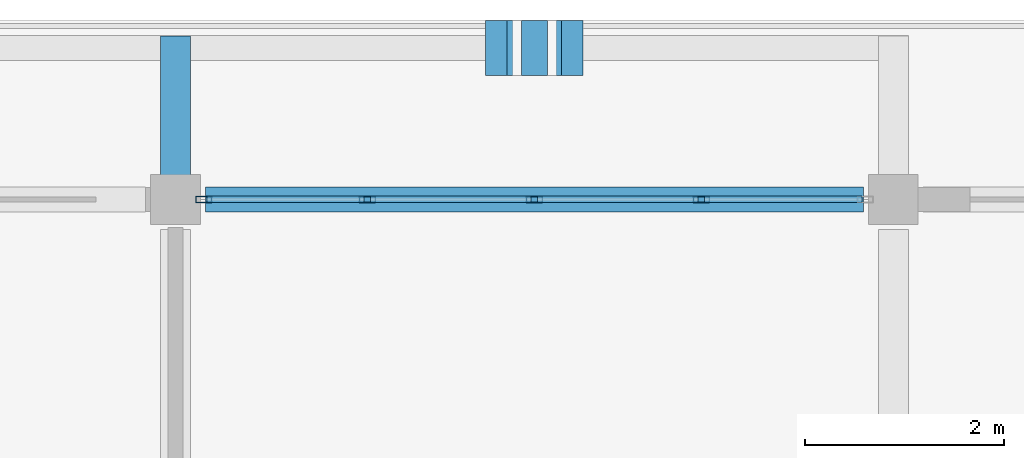
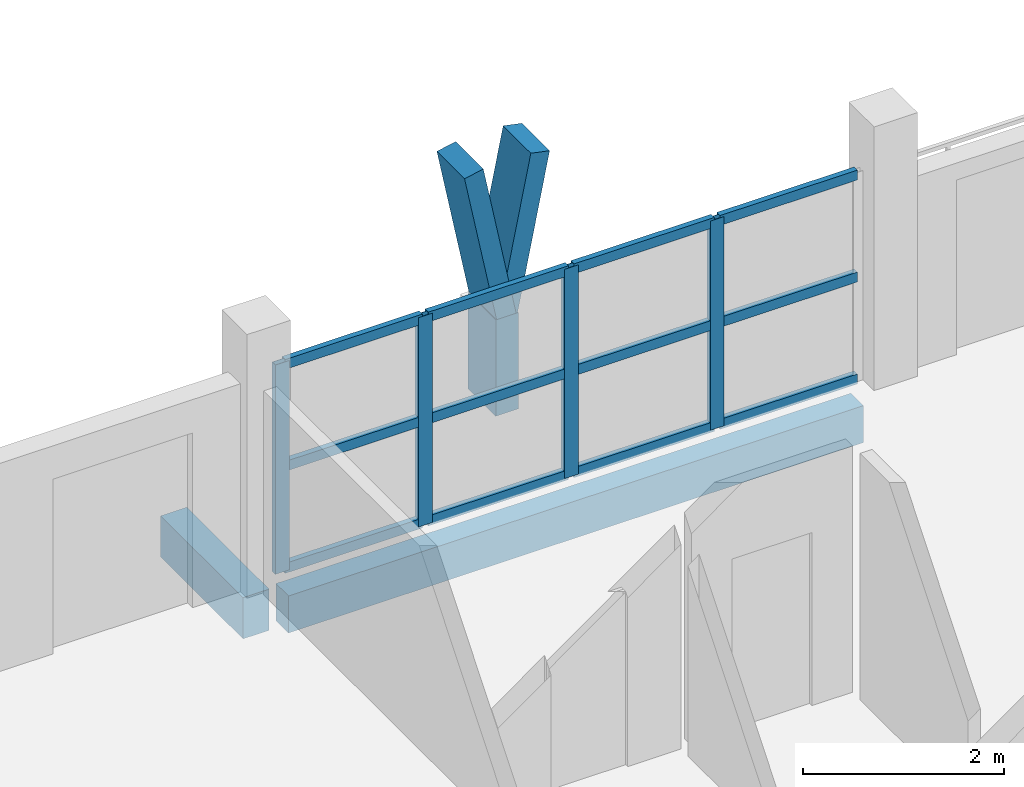
# One storey, part 13 of 45: 19 members, 2 beams, 1 element without a shape of its own.
"""IFC4 building model written with IfcOpenShell, lengths in metres."""

import ifcopenshell
import ifcopenshell.guid

model = None  # the IFC model being written
_history = None  # IfcOwnerHistory: only IFC2X3 demands one
_inside = {}  # id of a spatial element -> (the spatial element, [elements in it])
_under = {}  # id of a project, library or spatial element -> (it, [spatial elements below it])
_declared = {}  # id of a project -> (the project, [libraries it declares])
_typed = {}  # id of a type object -> (the type object, [elements of that type])
_made_of = {}  # id of a material, layer set ... -> (it, [elements and type objects made of it])


def new_model(schema):
    """Start an empty IFC model of exactly this schema.

    Asked for "IFC4X3", IfcOpenShell would pick the latest addendum, in which some entities
    have other attributes; the version numbers below select the first issue.
    IFC2X3 requires an IfcOwnerHistory on every rooted entity: one is made here for all.
    """
    global model, _history
    if schema == "IFC4X3":
        model = ifcopenshell.file(schema_version=(4, 3, 0, 0))
    else:
        model = ifcopenshell.file(schema=schema)
    _inside.clear()
    _under.clear()
    _declared.clear()
    _typed.clear()
    _made_of.clear()
    _history = None
    if model.schema == "IFC2X3":
        org = make("IfcOrganization", Name="unknown")
        user = make(
            "IfcPersonAndOrganization",
            ThePerson=make("IfcPerson", FamilyName="unknown"),
            TheOrganization=org,
        )
        app = make(
            "IfcApplication",
            ApplicationDeveloper=org,
            Version="unknown",
            ApplicationFullName="unknown",
            ApplicationIdentifier="unknown",
        )
        _history = make(
            "IfcOwnerHistory",
            OwningUser=user,
            OwningApplication=app,
            ChangeAction="ADDED",
            CreationDate=0,
        )
    return model


def make(cls, **values):
    """One entity of the class cls with the attributes given. An attribute that is None is left unset."""
    return model.create_entity(
        cls, **{name: value for name, value in values.items() if value is not None}
    )


def rooted(cls, **values):
    """An entity with a GlobalId (a new one), such as an element, a storey or a relation."""
    return make(cls, GlobalId=ifcopenshell.guid.new(), OwnerHistory=_history, **values)


def si_unit(unit_type, name, prefix=None):
    """IfcSIUnit, for example si_unit("LENGTHUNIT", "METRE", prefix="MILLI")."""
    return make("IfcSIUnit", UnitType=unit_type, Prefix=prefix, Name=name)


def assignment(units):
    """IfcUnitAssignment: the units of a project."""
    return None if units is None else make("IfcUnitAssignment", Units=units)


def point(xyz):
    """IfcCartesianPoint."""
    return None if xyz is None else make("IfcCartesianPoint", Coordinates=xyz)


def direction(xyz):
    """IfcDirection."""
    return None if xyz is None else make("IfcDirection", DirectionRatios=xyz)


def frame(location, z_axis=None, x_axis=None):
    """IfcAxis2Placement3D, a coordinate frame: its origin and axes. An axis left out is left unset."""
    return make(
        "IfcAxis2Placement3D",
        Location=point(location),
        Axis=direction(z_axis),
        RefDirection=direction(x_axis),
    )


def frame_2d(location, x_axis=None):
    """IfcAxis2Placement2D, a coordinate frame in the plane: its origin and x axis."""
    return make(
        "IfcAxis2Placement2D", Location=point(location), RefDirection=direction(x_axis)
    )


def origin():
    """The frame at (0, 0, 0) with its axes left unset."""
    return frame((0.0, 0.0, 0.0))


def origin_2d():
    """The frame at (0, 0) in the plane with its x axis left unset."""
    return frame_2d((0.0, 0.0))


def place(relative_to, where):
    """IfcLocalPlacement: puts the frame where relative to a parent placement (None: the world)."""
    return make(
        "IfcLocalPlacement", PlacementRelTo=relative_to, RelativePlacement=where
    )


def context(
    kind, dimensions, precision=None, world=None, true_north=None, identifier=None
):
    """IfcGeometricRepresentationContext, for example the 3D "Model" context."""
    return make(
        "IfcGeometricRepresentationContext",
        ContextIdentifier=identifier,
        ContextType=kind,
        CoordinateSpaceDimension=dimensions,
        Precision=precision,
        WorldCoordinateSystem=world,
        TrueNorth=true_north,
    )


def subcontext(parent, identifier, kind, view, scale=None):
    """IfcGeometricRepresentationSubContext, for example "Body" below "Model"."""
    return make(
        "IfcGeometricRepresentationSubContext",
        ContextIdentifier=identifier,
        ContextType=kind,
        ParentContext=parent,
        TargetScale=scale,
        TargetView=view,
    )


def project(units=None, contexts=None):
    """IfcProject with its units and contexts."""
    return rooted(
        "IfcProject",
        Name="project",
        RepresentationContexts=contexts,
        UnitsInContext=assignment(units),
    )


def spatial(cls, under=None, at=None, **own):
    """A site, building, storey or space (cls), placed at a placement, below another one or the project."""
    s = rooted(cls, ObjectPlacement=at, **own)
    if under is not None:
        _under.setdefault(under.id(), (under, []))[1].append(s)
    return s


def profile(cls, at=None, kind="AREA", **sizes):
    """A parametric profile (cls). Its sizes go by their IFC names, for example OverallWidth=200.0."""
    return make(cls, ProfileType=kind, Position=at, **sizes)


def rectangle(**sizes):
    """IfcRectangleProfileDef."""
    return profile("IfcRectangleProfileDef", **sizes)


def hollow_rectangle(**sizes):
    """IfcRectangleHollowProfileDef."""
    return profile("IfcRectangleHollowProfileDef", **sizes)


def extrude(swept, where, along, depth):
    """IfcExtrudedAreaSolid: the profile swept, set in the frame where, extruded along a direction by depth."""
    return make(
        "IfcExtrudedAreaSolid",
        SweptArea=swept,
        Position=where,
        ExtrudedDirection=direction(along),
        Depth=depth,
    )


def shape(context_of_items, identifier, shape_type, items):
    """IfcShapeRepresentation: the items that make up one representation, for example the "Body"."""
    return make(
        "IfcShapeRepresentation",
        ContextOfItems=context_of_items,
        RepresentationIdentifier=identifier,
        RepresentationType=shape_type,
        Items=items,
    )


def material(Name=None, Category=None):
    """IfcMaterial."""
    return make("IfcMaterial", Name=Name, Category=Category)


def material_profile(
    of_material, cross_section, Name=None, Category=None, Priority=None
):
    """IfcMaterialProfile: a cross section and its material."""
    return make(
        "IfcMaterialProfile",
        Name=Name,
        Material=of_material,
        Profile=cross_section,
        Priority=Priority,
        Category=Category,
    )


def profile_set(profiles, Name=None, composite=None):
    """IfcMaterialProfileSet."""
    return make(
        "IfcMaterialProfileSet",
        Name=Name,
        MaterialProfiles=profiles,
        CompositeProfile=composite,
    )


def made_of(thing, what):
    """Note that an element or type object is made of a material, layer set ...; save() writes the relation."""
    if what is not None:
        _made_of.setdefault(what.id(), (what, []))[1].append(thing)
    return thing


def type_object(cls, material=None, **own):
    """A type object (cls), such as IfcWallType, which elements share."""
    return made_of(rooted(cls, **own), material)


def element(
    cls,
    number,
    at=None,
    inside=None,
    cuts=None,
    type_object=None,
    material=None,
    context=None,
    identifier="Body",
    shape_type=None,
    held_by="IfcProductDefinitionShape",
    body=None,
    shapes=None,
    **own,
):
    """One element of the class cls, such as IfcWall. Its Tag is "e" and its number.

    at: its placement. inside: the storey or other place that contains it. cuts: it is an
    opening in that element (IfcRelVoidsElement). A single representation is given by context,
    identifier, shape_type and body (its items); several are given by shapes. held_by: the class
    of the entity that holds the representations. save() writes the other relations.
    """
    e = rooted(cls, Tag="e%d" % number, ObjectPlacement=at, **own)
    if body is not None:
        shapes = [shape(context, identifier, shape_type, body)]
    if shapes is not None:
        e.Representation = make(held_by, Representations=shapes)
    if inside is not None:
        _inside.setdefault(inside.id(), (inside, []))[1].append(e)
    if cuts is not None:
        rooted(
            "IfcRelVoidsElement", RelatingBuildingElement=cuts, RelatedOpeningElement=e
        )
    if type_object is not None:
        _typed.setdefault(type_object.id(), (type_object, []))[1].append(e)
    return made_of(e, material)


def aggregate(whole, parts):
    """IfcRelAggregates: a whole, such as a stair, and the parts it consists of."""
    return rooted("IfcRelAggregates", RelatingObject=whole, RelatedObjects=parts)


def save(model, path):
    """Write the relations noted so far, then the file.

    IfcRelAggregates (storeys below a building ...), IfcRelContainedInSpatialStructure (elements
    in a storey), IfcRelDefinesByType, IfcRelAssociatesMaterial and IfcRelDeclares: one each for
    every whole, place, type object, material and project.
    """
    for whole, parts in _under.values():
        aggregate(whole, parts)
    for where, things in _inside.values():
        rooted(
            "IfcRelContainedInSpatialStructure",
            RelatedElements=things,
            RelatingStructure=where,
        )
    for kind, things in _typed.values():
        rooted("IfcRelDefinesByType", RelatedObjects=things, RelatingType=kind)
    for what, things in _made_of.values():
        rooted("IfcRelAssociatesMaterial", RelatedObjects=things, RelatingMaterial=what)
    for by, libraries in _declared.values():
        rooted("IfcRelDeclares", RelatingContext=by, RelatedDefinitions=libraries)
    model.write(path)


model = new_model("IFC4")

# Units and contexts
model_context = context("Model", 3, precision=1e-05, world=origin(), true_north=direction((0.0, 1.0)))
body_context = subcontext(model_context, "Body", "Model", "MODEL_VIEW")
ifc_project = project(units=[si_unit("LENGTHUNIT", "METRE"), si_unit("AREAUNIT", "SQUARE_METRE"), si_unit("VOLUMEUNIT", "CUBIC_METRE"), si_unit("PLANEANGLEUNIT", "RADIAN"), si_unit("MASSUNIT", "GRAM", prefix="KILO")], contexts=[model_context])

# Site, building, storey
site_placement = place(None, origin())
site = spatial("IfcSite", under=ifc_project, at=site_placement, CompositionType="ELEMENT")
building_placement = place(site_placement, origin())
building = spatial("IfcBuilding", under=site, at=building_placement, Name="Suanplinth Sawtooth Commons", CompositionType="ELEMENT")
storey_placement = place(building_placement, frame((0.0, 0.0, 38.0)))
storey = spatial("IfcBuildingStorey", under=building, at=storey_placement, Name="L11", CompositionType="ELEMENT", Elevation=38.0)

# Beams
ifc_material_1 = material(Name="Precast concrete C40/50", Category="concrete")
ifc_material_profile_1 = material_profile(ifc_material_1, rectangle(XDim=0.300048828125, YDim=0.5, at=origin_2d()), Name="PC-BM 300x500")
ifc_profile_set_1 = profile_set([ifc_material_profile_1], Name="Precast concrete C40/50")
beam_type_1 = type_object("IfcBeamType", Name="B-07", PredefinedType="BEAM", material=ifc_profile_set_1)
beam_1_placement = place(storey_placement, frame((79.199951171875, 122.39990234375, -0.429931640625), z_axis=(0.0, 1.0, 0.0), x_axis=(-1.0, 0.0, 0.0)))
element("IfcBeam", 1, at=beam_1_placement, inside=storey, type_object=beam_type_1, Name="Balcony Outrigger L11-A-N-11", PredefinedType="BEAM", context=body_context, shape_type="SweptSolid", body=[
    extrude(rectangle(XDim=0.300048828125, YDim=0.5, at=origin_2d()), origin(), (0.0, 0.0, 1.0), 1.64013671875),
])
ifc_material_profile_2 = material_profile(ifc_material_1, rectangle(XDim=0.25, YDim=0.449951171875, at=origin_2d()), Name="PC-SP 250x450")
ifc_profile_set_2 = profile_set([ifc_material_profile_2], Name="Precast concrete C40/50")
beam_type_2 = type_object("IfcBeamType", Name="B-09", PredefinedType="SPANDREL", material=ifc_profile_set_2)
beam_2_placement = place(storey_placement, frame((79.5, 122.39990234375, -0.465087890625), z_axis=(1.0, 0.0, 0.0), x_axis=(0.0, 1.0, 0.0)))
element("IfcBeam", 2, at=beam_2_placement, inside=storey, type_object=beam_type_2, Name="BMX-L11-A-11-17", PredefinedType="SPANDREL", context=body_context, shape_type="SweptSolid", body=[
    extrude(rectangle(XDim=0.25, YDim=0.449951171875, at=origin_2d()), origin(), (0.0, 0.0, 1.0), 6.60009765625),
])

# Members
ifc_material_2 = material(Name="Pigmented precast concrete C40/50", Category="concrete")
ifc_material_profile_3 = material_profile(ifc_material_2, rectangle(XDim=0.260009765625, YDim=0.550048828125, at=origin_2d()), Name="PC-FIN 260x550")
ifc_profile_set_3 = profile_set([ifc_material_profile_3], Name="Pigmented precast concrete C40/50")
member_type_1 = type_object("IfcMemberType", Name="M-09", PredefinedType="USERDEFINED", material=ifc_profile_set_3)
member_1_placement = place(storey_placement, frame((82.800048828125, 123.919921875, 0.0), z_axis=(0.0, 0.0, 1.0), x_axis=(1.0, 0.0, 0.0)))
element("IfcMember", 3, at=member_1_placement, inside=storey, type_object=member_type_1, Name="Y-Blade Stem L11-A-N-05", ObjectType="SHADING FIN", PredefinedType="USERDEFINED", context=body_context, shape_type="SweptSolid", body=[
    extrude(rectangle(XDim=0.260009765625, YDim=0.550048828125, at=origin_2d()), origin(), (0.0, 0.0, 1.0), 1.169921875),
])
ifc_material_profile_4 = material_profile(ifc_material_2, rectangle(XDim=0.219970703125, YDim=0.550048828125, at=origin_2d()), Name="PC-FIN 220x550")
ifc_profile_set_4 = profile_set([ifc_material_profile_4], Name="Pigmented precast concrete C40/50")
member_type_2 = type_object("IfcMemberType", Name="M-10", PredefinedType="USERDEFINED", material=ifc_profile_set_4)
member_2_placement = place(storey_placement, frame((82.800048828125, 123.919921875, 1.1298828125), z_axis=(-0.196406855569, 0.0, 0.980522486782), x_axis=(0.980522486782, 0.0, 0.196406855569)))
element("IfcMember", 4, at=member_2_placement, inside=storey, type_object=member_type_2, Name="Y-Blade Arm L L11-A-N-05", ObjectType="SHADING FIN", PredefinedType="USERDEFINED", context=body_context, shape_type="SweptSolid", body=[
    extrude(rectangle(XDim=0.219970703125, YDim=0.550048828125, at=origin_2d()), origin(), (0.0, 0.0, 1.0), 1.93798828125),
])
member_3_placement = place(storey_placement, frame((82.800048828125, 123.919921875, 1.1298828125), z_axis=(0.196285728346, 0.0, 0.980546741796), x_axis=(-0.980546741796, 0.0, 0.196285728346)))
element("IfcMember", 5, at=member_3_placement, inside=storey, type_object=member_type_2, Name="Y-Blade Arm R L11-A-N-05", ObjectType="SHADING FIN", PredefinedType="USERDEFINED", context=body_context, shape_type="SweptSolid", body=[
    extrude(rectangle(XDim=0.219970703125, YDim=0.550048828125, at=origin_2d()), origin(), (0.0, 0.0, 1.0), 1.937744140625),
])

# Curtain wall, members
ifc_material_3 = material(Name="Anodized aluminium and low-E glazing", Category="aluminium")
curtain_wall_type = type_object("IfcCurtainWallType", Name="CW-06", PredefinedType="USERDEFINED", material=ifc_material_3)
curtain_wall_placement = place(storey_placement, origin())
curtain_wall = element("IfcCurtainWall", 6, at=curtain_wall_placement, inside=storey, type_object=curtain_wall_type, Name="Curtain Wall CW-L11-A-LOUNGE-8", ObjectType="CURTAIN WALL", PredefinedType="USERDEFINED")
ifc_material_4 = material(Name="Anodized aluminium 6063-T6", Category="aluminium")
ifc_material_profile_5 = material_profile(ifc_material_4, hollow_rectangle(XDim=0.06494140625, YDim=0.159912109375, WallThickness=0.00390625, at=origin_2d()), Name="ALU-MUL 65x160")
ifc_profile_set_5 = profile_set([ifc_material_profile_5], Name="Anodized aluminium 6063-T6")
member_type_3 = type_object("IfcMemberType", Name="M-13", PredefinedType="MULLION", material=ifc_profile_set_5)
member_4_placement = place(storey_placement, frame((79.482421875, 122.39990234375, 0.0), z_axis=(0.0, 0.0, 1.0), x_axis=(0.0, 1.0, 0.0)))
member_4 = element("IfcMember", 7, at=member_4_placement, type_object=member_type_3, Name="CW-06 mullion 1", PredefinedType="MULLION", context=body_context, shape_type="SweptSolid", body=[
    extrude(hollow_rectangle(XDim=0.06494140625, YDim=0.159912109375, WallThickness=0.00390625, at=origin_2d()), origin(), (0.0, 0.0, 1.0), 2.5400390625),
])
member_5_placement = place(storey_placement, frame((81.125, 122.39990234375, 0.0), z_axis=(0.0, 0.0, 1.0), x_axis=(0.0, 1.0, 0.0)))
member_5 = element("IfcMember", 8, at=member_5_placement, type_object=member_type_3, Name="CW-06 mullion 2", PredefinedType="MULLION", context=body_context, shape_type="SweptSolid", body=[
    extrude(hollow_rectangle(XDim=0.06494140625, YDim=0.159912109375, WallThickness=0.00390625, at=origin_2d()), origin(), (0.0, 0.0, 1.0), 2.5400390625),
])
member_6_placement = place(storey_placement, frame((82.800048828125, 122.39990234375, 0.0), z_axis=(0.0, 0.0, 1.0), x_axis=(0.0, 1.0, 0.0)))
member_6 = element("IfcMember", 9, at=member_6_placement, type_object=member_type_3, Name="CW-06 mullion 3", PredefinedType="MULLION", context=body_context, shape_type="SweptSolid", body=[
    extrude(hollow_rectangle(XDim=0.06494140625, YDim=0.159912109375, WallThickness=0.00390625, at=origin_2d()), origin(), (0.0, 0.0, 1.0), 2.5400390625),
])
member_7_placement = place(storey_placement, frame((84.47509765625, 122.39990234375, 0.0), z_axis=(0.0, 0.0, 1.0), x_axis=(0.0, 1.0, 0.0)))
member_7 = element("IfcMember", 10, at=member_7_placement, type_object=member_type_3, Name="CW-06 mullion 4", PredefinedType="MULLION", context=body_context, shape_type="SweptSolid", body=[
    extrude(hollow_rectangle(XDim=0.06494140625, YDim=0.159912109375, WallThickness=0.00390625, at=origin_2d()), origin(), (0.0, 0.0, 1.0), 2.5400390625),
])
ifc_material_profile_6 = material_profile(ifc_material_4, hollow_rectangle(XDim=0.06494140625, YDim=0.1201171875, WallThickness=0.00390625, at=origin_2d()), Name="ALU-TRN 65x120")
ifc_profile_set_6 = profile_set([ifc_material_profile_6], Name="Anodized aluminium 6063-T6")
member_type_4 = type_object("IfcMemberType", Name="M-15", PredefinedType="USERDEFINED", material=ifc_profile_set_6)
member_8_placement = place(storey_placement, frame((79.514892578125, 122.39990234375, 0.032470703125), z_axis=(1.0, 0.0, 0.0), x_axis=(0.0, 1.0, 0.0)))
member_8 = element("IfcMember", 11, at=member_8_placement, type_object=member_type_4, Name="CW-06 transom 1.1", ObjectType="TRANSOM", PredefinedType="USERDEFINED", context=body_context, shape_type="SweptSolid", body=[
    extrude(hollow_rectangle(XDim=0.06494140625, YDim=0.1201171875, WallThickness=0.00390625, at=origin_2d()), origin(), (0.0, 0.0, 1.0), 1.57763671875),
])
member_9_placement = place(storey_placement, frame((79.514892578125, 122.39990234375, 1.27001953125), z_axis=(1.0, 0.0, 0.0), x_axis=(0.0, 1.0, 0.0)))
member_9 = element("IfcMember", 12, at=member_9_placement, type_object=member_type_4, Name="CW-06 transom 1.2", ObjectType="TRANSOM", PredefinedType="USERDEFINED", context=body_context, shape_type="SweptSolid", body=[
    extrude(hollow_rectangle(XDim=0.06494140625, YDim=0.1201171875, WallThickness=0.00390625, at=origin_2d()), origin(), (0.0, 0.0, 1.0), 1.57763671875),
])
member_10_placement = place(storey_placement, frame((79.514892578125, 122.39990234375, 2.507568359375), z_axis=(1.0, 0.0, 0.0), x_axis=(0.0, 1.0, 0.0)))
member_10 = element("IfcMember", 13, at=member_10_placement, type_object=member_type_4, Name="CW-06 transom 1.3", ObjectType="TRANSOM", PredefinedType="USERDEFINED", context=body_context, shape_type="SweptSolid", body=[
    extrude(hollow_rectangle(XDim=0.06494140625, YDim=0.1201171875, WallThickness=0.00390625, at=origin_2d()), origin(), (0.0, 0.0, 1.0), 1.57763671875),
])
member_11_placement = place(storey_placement, frame((81.157470703125, 122.39990234375, 0.032470703125), z_axis=(1.0, 0.0, 0.0), x_axis=(0.0, 1.0, 0.0)))
member_11 = element("IfcMember", 14, at=member_11_placement, type_object=member_type_4, Name="CW-06 transom 2.1", ObjectType="TRANSOM", PredefinedType="USERDEFINED", context=body_context, shape_type="SweptSolid", body=[
    extrude(hollow_rectangle(XDim=0.06494140625, YDim=0.1201171875, WallThickness=0.00390625, at=origin_2d()), origin(), (0.0, 0.0, 1.0), 1.610107421875),
])
member_12_placement = place(storey_placement, frame((81.157470703125, 122.39990234375, 1.27001953125), z_axis=(1.0, 0.0, 0.0), x_axis=(0.0, 1.0, 0.0)))
member_12 = element("IfcMember", 15, at=member_12_placement, type_object=member_type_4, Name="CW-06 transom 2.2", ObjectType="TRANSOM", PredefinedType="USERDEFINED", context=body_context, shape_type="SweptSolid", body=[
    extrude(hollow_rectangle(XDim=0.06494140625, YDim=0.1201171875, WallThickness=0.00390625, at=origin_2d()), origin(), (0.0, 0.0, 1.0), 1.610107421875),
])
member_13_placement = place(storey_placement, frame((81.157470703125, 122.39990234375, 2.507568359375), z_axis=(1.0, 0.0, 0.0), x_axis=(0.0, 1.0, 0.0)))
member_13 = element("IfcMember", 16, at=member_13_placement, type_object=member_type_4, Name="CW-06 transom 2.3", ObjectType="TRANSOM", PredefinedType="USERDEFINED", context=body_context, shape_type="SweptSolid", body=[
    extrude(hollow_rectangle(XDim=0.06494140625, YDim=0.1201171875, WallThickness=0.00390625, at=origin_2d()), origin(), (0.0, 0.0, 1.0), 1.610107421875),
])
member_14_placement = place(storey_placement, frame((82.83251953125, 122.39990234375, 0.032470703125), z_axis=(1.0, 0.0, 0.0), x_axis=(0.0, 1.0, 0.0)))
member_14 = element("IfcMember", 17, at=member_14_placement, type_object=member_type_4, Name="CW-06 transom 3.1", ObjectType="TRANSOM", PredefinedType="USERDEFINED", context=body_context, shape_type="SweptSolid", body=[
    extrude(hollow_rectangle(XDim=0.06494140625, YDim=0.1201171875, WallThickness=0.00390625, at=origin_2d()), origin(), (0.0, 0.0, 1.0), 1.60986328125),
])
member_15_placement = place(storey_placement, frame((82.83251953125, 122.39990234375, 1.27001953125), z_axis=(1.0, 0.0, 0.0), x_axis=(0.0, 1.0, 0.0)))
member_15 = element("IfcMember", 18, at=member_15_placement, type_object=member_type_4, Name="CW-06 transom 3.2", ObjectType="TRANSOM", PredefinedType="USERDEFINED", context=body_context, shape_type="SweptSolid", body=[
    extrude(hollow_rectangle(XDim=0.06494140625, YDim=0.1201171875, WallThickness=0.00390625, at=origin_2d()), origin(), (0.0, 0.0, 1.0), 1.60986328125),
])
member_16_placement = place(storey_placement, frame((82.83251953125, 122.39990234375, 2.507568359375), z_axis=(1.0, 0.0, 0.0), x_axis=(0.0, 1.0, 0.0)))
member_16 = element("IfcMember", 19, at=member_16_placement, type_object=member_type_4, Name="CW-06 transom 3.3", ObjectType="TRANSOM", PredefinedType="USERDEFINED", context=body_context, shape_type="SweptSolid", body=[
    extrude(hollow_rectangle(XDim=0.06494140625, YDim=0.1201171875, WallThickness=0.00390625, at=origin_2d()), origin(), (0.0, 0.0, 1.0), 1.60986328125),
])
member_17_placement = place(storey_placement, frame((84.507568359375, 122.39990234375, 0.032470703125), z_axis=(1.0, 0.0, 0.0), x_axis=(0.0, 1.0, 0.0)))
member_17 = element("IfcMember", 20, at=member_17_placement, type_object=member_type_4, Name="CW-06 transom 4.1", ObjectType="TRANSOM", PredefinedType="USERDEFINED", context=body_context, shape_type="SweptSolid", body=[
    extrude(hollow_rectangle(XDim=0.06494140625, YDim=0.1201171875, WallThickness=0.00390625, at=origin_2d()), origin(), (0.0, 0.0, 1.0), 1.577392578125),
])
member_18_placement = place(storey_placement, frame((84.507568359375, 122.39990234375, 1.27001953125), z_axis=(1.0, 0.0, 0.0), x_axis=(0.0, 1.0, 0.0)))
member_18 = element("IfcMember", 21, at=member_18_placement, type_object=member_type_4, Name="CW-06 transom 4.2", ObjectType="TRANSOM", PredefinedType="USERDEFINED", context=body_context, shape_type="SweptSolid", body=[
    extrude(hollow_rectangle(XDim=0.06494140625, YDim=0.1201171875, WallThickness=0.00390625, at=origin_2d()), origin(), (0.0, 0.0, 1.0), 1.577392578125),
])
member_19_placement = place(storey_placement, frame((84.507568359375, 122.39990234375, 2.507568359375), z_axis=(1.0, 0.0, 0.0), x_axis=(0.0, 1.0, 0.0)))
member_19 = element("IfcMember", 22, at=member_19_placement, type_object=member_type_4, Name="CW-06 transom 4.3", ObjectType="TRANSOM", PredefinedType="USERDEFINED", context=body_context, shape_type="SweptSolid", body=[
    extrude(hollow_rectangle(XDim=0.06494140625, YDim=0.1201171875, WallThickness=0.00390625, at=origin_2d()), origin(), (0.0, 0.0, 1.0), 1.577392578125),
])
aggregate(curtain_wall, [member_4, member_5, member_6, member_7, member_8, member_9, member_10, member_11, member_12, member_13, member_14, member_15, member_16, member_17, member_18, member_19])

save(model, "model.ifc")
